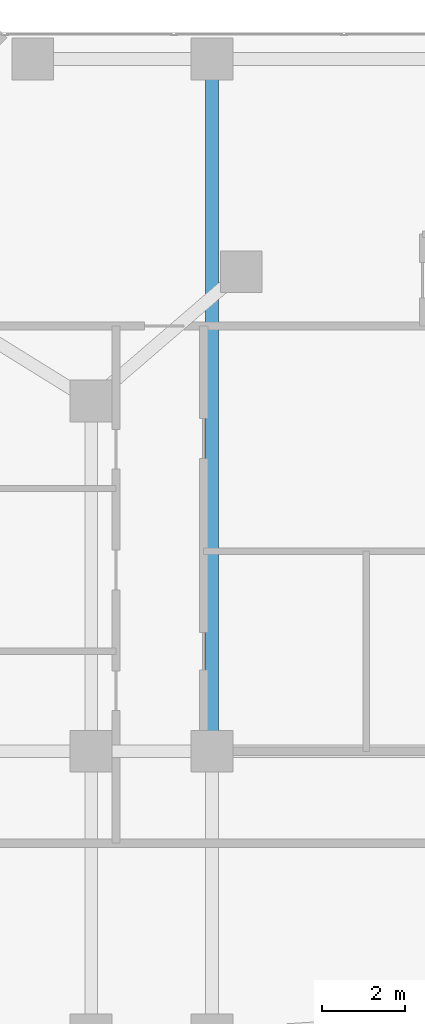
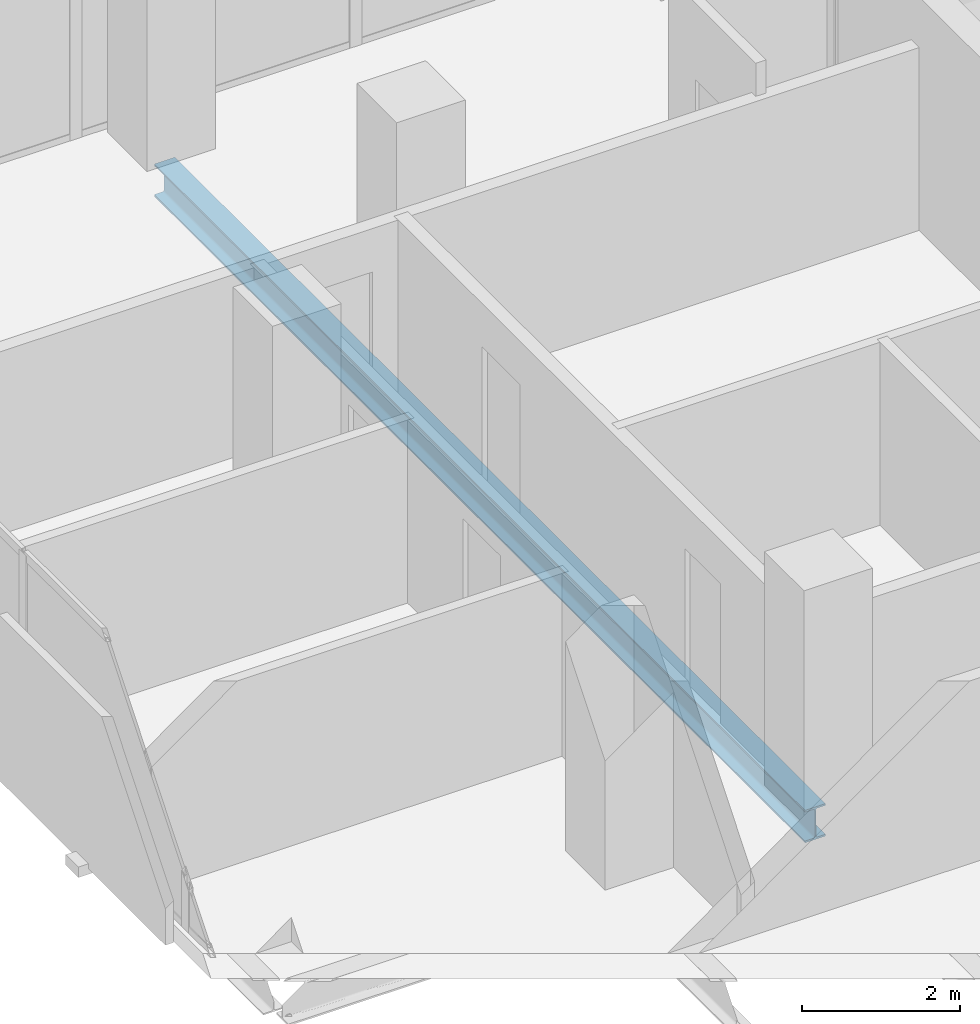
# One storey, part 17 of 31: 1 beam.
"""IFC4 building model written with IfcOpenShell, lengths in metres."""

from ifc_helpers import new_model, si_unit, direction, frame, origin, origin_2d, place, context, subcontext, project, spatial, i_section, extrude, material, material_profile, profile_set, type_object, element, save


model = new_model("IFC4")

# Units and contexts
model_context = context("Model", 3, precision=1e-05, world=origin(), true_north=direction((0.0, 1.0)))
body_context = subcontext(model_context, "Body", "Model", "MODEL_VIEW")
ifc_project = project(units=[si_unit("LENGTHUNIT", "METRE"), si_unit("AREAUNIT", "SQUARE_METRE"), si_unit("VOLUMEUNIT", "CUBIC_METRE"), si_unit("PLANEANGLEUNIT", "RADIAN"), si_unit("MASSUNIT", "GRAM", prefix="KILO")], contexts=[model_context])

# Site, building, storey
site_placement = place(None, origin())
site = spatial("IfcSite", under=ifc_project, at=site_placement, CompositionType="ELEMENT")
building_placement = place(site_placement, origin())
building = spatial("IfcBuilding", under=site, at=building_placement, Name="Catumbela Crestline Tower", CompositionType="ELEMENT")
storey_placement = place(building_placement, frame((0.0, 0.0, 40.2)))
storey = spatial("IfcBuildingStorey", under=building, at=storey_placement, Name="L09", CompositionType="ELEMENT", Elevation=40.2)

# Beam
ifc_material = material(Name="Structural steel S355J2", Category="steel")
ifc_material_profile = material_profile(ifc_material, i_section(OverallWidth=0.3, OverallDepth=0.5, WebThickness=0.0145, FlangeThickness=0.028, FilletRadius=0.027, at=origin_2d()), Name="HEB 500")
ifc_profile_set = profile_set([ifc_material_profile], Name="Structural steel S355J2")
beam_type = type_object("IfcBeamType", Name="BG-HEB500", PredefinedType="BEAM", material=ifc_profile_set)
beam_placement = place(storey_placement, frame((8.5, 30.88, -0.51), z_axis=(0.0, 1.0, 0.0), x_axis=(-1.0, 0.0, 0.0)))
element("IfcBeam", 1, at=beam_placement, inside=storey, type_object=beam_type, Name="L09 Beam BM-L09-SN30", PredefinedType="BEAM", context=body_context, shape_type="SweptSolid", body=[
    extrude(i_section(OverallWidth=0.3, OverallDepth=0.5, WebThickness=0.0145, FlangeThickness=0.028, FilletRadius=0.027, at=origin_2d()), origin(), (0.0, 0.0, 1.0), 16.44),
])

save(model, "model.ifc")
